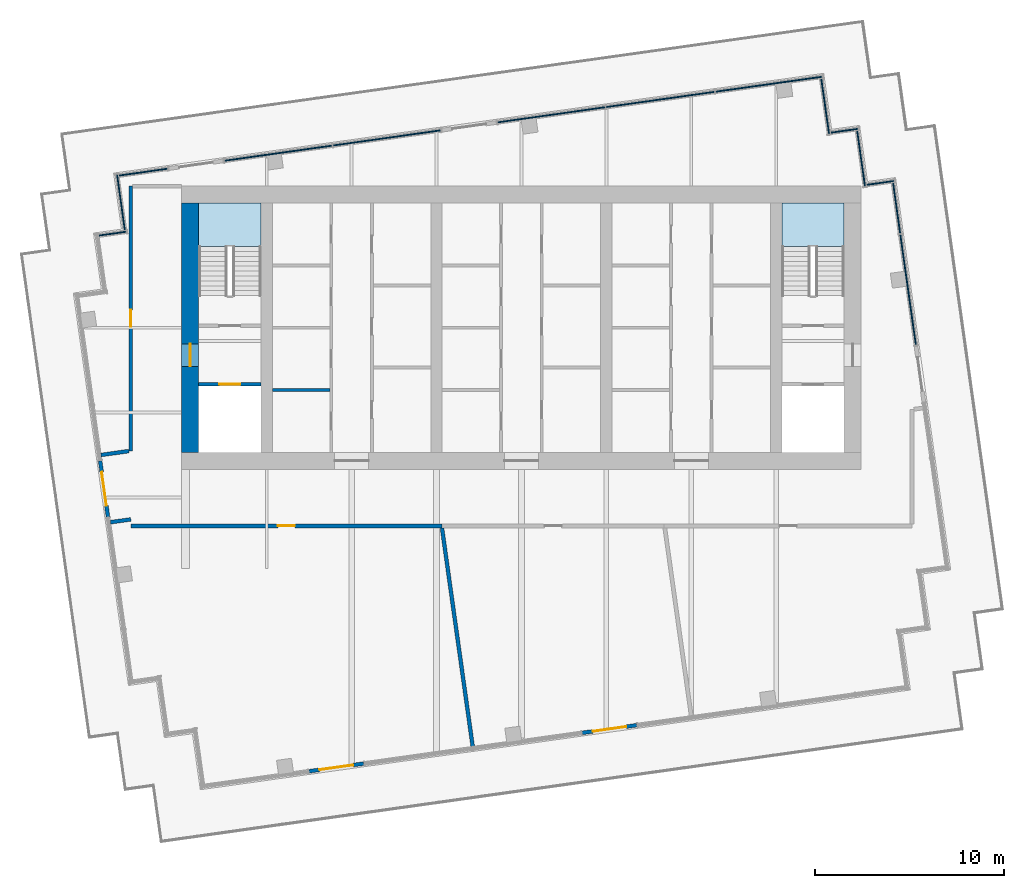
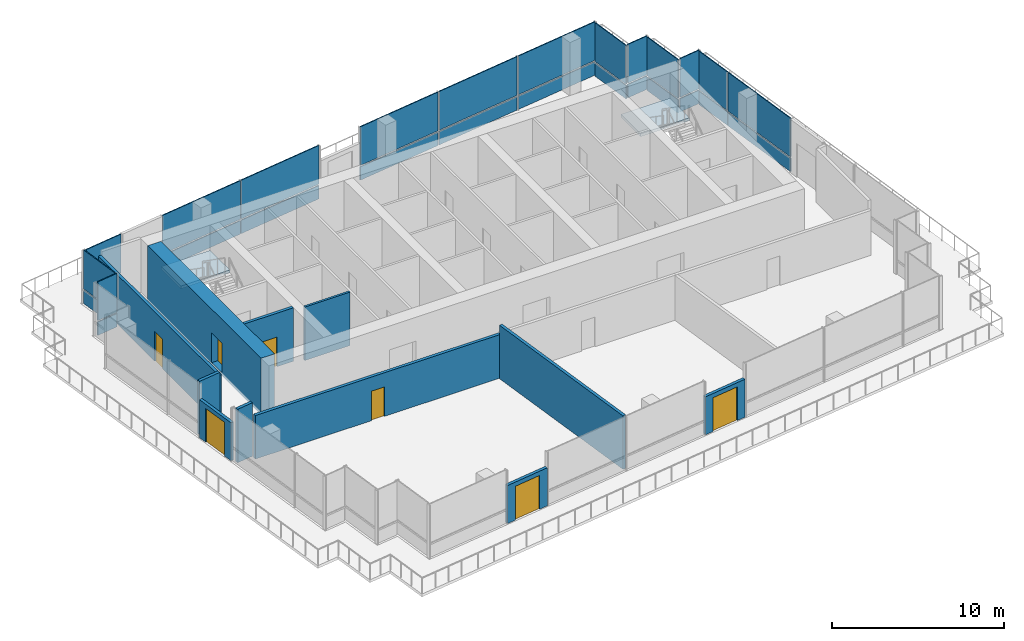
# One storey, part 6 of 12: 28 plates, 11 walls, 7 doors, 2 slabs, 7 openings, 12 elements without a shape of their own.
"""IFC4 building model written with IfcOpenShell, lengths in metres."""

from ifc_helpers import new_model, si_unit, direction, frame, frame_2d, origin, origin_2d, place, context, subcontext, project, spatial, polyline, rectangle, outline, extrude, material, layer, layer_set, type_object, element, fill, aggregate, save


model = new_model("IFC4")

# Units and contexts
model_context = context("Model", 3, precision=1e-05, world=origin(), true_north=direction((0.0, 1.0)))
body_context = subcontext(model_context, "Body", "Model", "MODEL_VIEW")
ifc_project = project(units=[si_unit("LENGTHUNIT", "METRE"), si_unit("AREAUNIT", "SQUARE_METRE"), si_unit("VOLUMEUNIT", "CUBIC_METRE"), si_unit("PLANEANGLEUNIT", "RADIAN"), si_unit("MASSUNIT", "GRAM", prefix="KILO")], contexts=[model_context])

# Site, building, storey
site_placement = place(None, origin())
site = spatial("IfcSite", under=ifc_project, at=site_placement, CompositionType="ELEMENT")
building_placement = place(site_placement, origin())
building = spatial("IfcBuilding", under=site, at=building_placement, Name="Rattan Terrace Tower", CompositionType="ELEMENT")
storey_placement = place(building_placement, frame((0.0, 0.0, 292.300048828125)))
storey = spatial("IfcBuildingStorey", under=building, at=storey_placement, Name="C01", CompositionType="ELEMENT", Elevation=292.300048828125)

# Stair, slab
ifc_material_1 = material(Name="Concrete C40/50", Category="concrete")
stair_type = type_object("IfcStairType", Name="Core exit stair 1500", PredefinedType="HALF_TURN_STAIR", material=ifc_material_1)
stair_1_placement = place(storey_placement, origin())
stair_1 = element("IfcStair", 1, at=stair_1_placement, inside=storey, type_object=stair_type, Name="C01 exit stair 1", PredefinedType="HALF_TURN_STAIR")
ifc_material_2 = material(Name="Concrete C40/50", Category="concrete")
ifc_layer_1 = layer(ifc_material_2, 0.199951171875)
ifc_layer_set_1 = layer_set([ifc_layer_1], Name="Core exit stair landing")
slab_type = type_object("IfcSlabType", Name="Core exit stair landing", PredefinedType="LANDING", material=ifc_layer_set_1)
slab_1_placement = place(storey_placement, frame((0.0, 0.0, 1.800048828125)))
slab_1 = element("IfcSlab", 2, at=slab_1_placement, type_object=slab_type, Name="S1 landing 1", PredefinedType="LANDING", context=body_context, shape_type="SweptSolid", body=[
    extrude(outline(polyline([(-13.800048828125, 4.300048828125), (-13.800048828125, 6.60009765625), (-17.10009765625, 6.60009765625), (-17.10009765625, 4.300048828125), (-13.800048828125, 4.300048828125)])), origin(), (0.0, 0.0, 1.0), 0.199951171875),
])
aggregate(stair_1, [slab_1])

stair_2_placement = place(storey_placement, origin())
stair_2 = element("IfcStair", 3, at=stair_2_placement, inside=storey, type_object=stair_type, Name="C01 exit stair 2", PredefinedType="HALF_TURN_STAIR")
slab_2_placement = place(storey_placement, frame((0.0, 0.0, 1.800048828125)))
slab_2 = element("IfcSlab", 4, at=slab_2_placement, type_object=slab_type, Name="S2 landing 1", PredefinedType="LANDING", context=body_context, shape_type="SweptSolid", body=[
    extrude(outline(polyline([(17.10009765625, 4.300048828125), (17.10009765625, 6.60009765625), (13.800048828125, 6.60009765625), (13.800048828125, 4.300048828125), (17.10009765625, 4.300048828125)])), origin(), (0.0, 0.0, 1.0), 0.199951171875),
])
aggregate(stair_2, [slab_2])

# Curtain wall, plates
ifc_material_3 = material(Name="Aluminium and laminated glass", Category="aluminium")
ifc_layer_2 = layer(ifc_material_3, 0.239990234375)
ifc_layer_set_2 = layer_set([ifc_layer_2], Name="Lantern Stick Curtain Wall")
curtain_wall_type = type_object("IfcCurtainWallType", Name="Lantern Stick Curtain Wall", PredefinedType="NOTDEFINED", material=ifc_layer_set_2)
curtain_wall_1_placement = place(storey_placement, origin())
curtain_wall_1 = element("IfcCurtainWall", 5, at=curtain_wall_1_placement, inside=storey, type_object=curtain_wall_type, Name="Lantern curtain wall C01-15", PredefinedType="NOTDEFINED")
ifc_material_4 = material(Name="Laminated low-iron glass", Category="glass")
ifc_layer_3 = layer(ifc_material_4, 0.06591796875)
ifc_layer_set_3 = layer_set([ifc_layer_3], Name="Lantern CW Laminated Panel")
plate_type = type_object("IfcPlateType", Name="Lantern CW Laminated Panel", PredefinedType="CURTAIN_PANEL", material=ifc_layer_set_3)
plate_1_placement = place(storey_placement, frame((20.488525390625, 2.0107421875, 0.0), z_axis=(0.0, 0.0, 1.0), x_axis=(-0.139187707455, 0.990266015823, 0.0)))
plate_1 = element("IfcPlate", 6, at=plate_1_placement, type_object=plate_type, Name="Panel cwl-C01-015.1.1", PredefinedType="CURTAIN_PANEL", context=body_context, shape_type="SweptSolid", body=[
    extrude(rectangle(XDim=5.89501953125, YDim=0.06591796875, at=origin_2d()), origin(), (0.0, 0.0, 1.0), 0.949951171875),
])
plate_2_placement = place(storey_placement, frame((20.488525390625, 2.0107421875, 1.050048828125), z_axis=(0.0, 0.0, 1.0), x_axis=(-0.139187707455, 0.990266015823, 0.0)))
plate_2 = element("IfcPlate", 7, at=plate_2_placement, type_object=plate_type, Name="Panel cwl-C01-015.1.2", PredefinedType="CURTAIN_PANEL", context=body_context, shape_type="SweptSolid", body=[
    extrude(rectangle(XDim=5.89501953125, YDim=0.06591796875, at=origin_2d()), origin(), (0.0, 0.0, 1.0), 2.75),
])
plate_3_placement = place(storey_placement, frame((19.88232421875, 6.323486328125, 0.0), z_axis=(0.0, 0.0, 1.0), x_axis=(-0.139187707455, 0.990266015823, 0.0)))
plate_3 = element("IfcPlate", 8, at=plate_3_placement, type_object=plate_type, Name="Panel cwl-C01-015.2.1", PredefinedType="CURTAIN_PANEL", context=body_context, shape_type="SweptSolid", body=[
    extrude(rectangle(XDim=2.67529296875, YDim=0.06591796875, at=origin_2d()), origin(), (0.0, 0.0, 1.0), 0.949951171875),
])
plate_4_placement = place(storey_placement, frame((19.88232421875, 6.323486328125, 1.050048828125), z_axis=(0.0, 0.0, 1.0), x_axis=(-0.139187707455, 0.990266015823, 0.0)))
plate_4 = element("IfcPlate", 9, at=plate_4_placement, type_object=plate_type, Name="Panel cwl-C01-015.2.2", PredefinedType="CURTAIN_PANEL", context=body_context, shape_type="SweptSolid", body=[
    extrude(rectangle(XDim=2.67529296875, YDim=0.06591796875, at=origin_2d()), origin(), (0.0, 0.0, 1.0), 2.75),
])
aggregate(curtain_wall_1, [plate_1, plate_2, plate_3, plate_4])

curtain_wall_2_placement = place(storey_placement, origin())
curtain_wall_2 = element("IfcCurtainWall", 10, at=curtain_wall_2_placement, inside=storey, type_object=curtain_wall_type, Name="Lantern curtain wall C01-16", PredefinedType="NOTDEFINED")
plate_5_placement = place(storey_placement, frame((19.021484375, 7.67431640625, 0.0), z_axis=(0.0, 0.0, 1.0), x_axis=(-0.990227803001, -0.139459306479, 0.0)))
plate_5 = element("IfcPlate", 11, at=plate_5_placement, type_object=plate_type, Name="Panel cwl-C01-016.1.1", PredefinedType="CURTAIN_PANEL", context=body_context, shape_type="SweptSolid", body=[
    extrude(rectangle(XDim=1.428466796875, YDim=0.06591796875, at=origin_2d()), origin(), (0.0, 0.0, 1.0), 0.949951171875),
])
plate_6_placement = place(storey_placement, frame((19.021484375, 7.67431640625, 1.050048828125), z_axis=(0.0, 0.0, 1.0), x_axis=(-0.990227803001, -0.139459306479, 0.0)))
plate_6 = element("IfcPlate", 12, at=plate_6_placement, type_object=plate_type, Name="Panel cwl-C01-016.1.2", PredefinedType="CURTAIN_PANEL", context=body_context, shape_type="SweptSolid", body=[
    extrude(rectangle(XDim=1.428466796875, YDim=0.06591796875, at=origin_2d()), origin(), (0.0, 0.0, 1.0), 2.75),
])
aggregate(curtain_wall_2, [plate_5, plate_6])

curtain_wall_3_placement = place(storey_placement, origin())
curtain_wall_3 = element("IfcCurtainWall", 13, at=curtain_wall_3_placement, inside=storey, type_object=curtain_wall_type, Name="Lantern curtain wall C01-17", PredefinedType="NOTDEFINED")
plate_7_placement = place(storey_placement, frame((17.997802734375, 8.96044921875, 0.0), z_axis=(0.0, 0.0, 1.0), x_axis=(-0.139555918709, 0.990214191755, 0.0)))
plate_7 = element("IfcPlate", 14, at=plate_7_placement, type_object=plate_type, Name="Panel cwl-C01-017.1.1", PredefinedType="CURTAIN_PANEL", context=body_context, shape_type="SweptSolid", body=[
    extrude(rectangle(XDim=2.932373046875, YDim=0.06591796875, at=origin_2d()), origin(), (0.0, 0.0, 1.0), 0.949951171875),
])
plate_8_placement = place(storey_placement, frame((17.997802734375, 8.96044921875, 1.050048828125), z_axis=(0.0, 0.0, 1.0), x_axis=(-0.139555918709, 0.990214191755, 0.0)))
plate_8 = element("IfcPlate", 15, at=plate_8_placement, type_object=plate_type, Name="Panel cwl-C01-017.1.2", PredefinedType="CURTAIN_PANEL", context=body_context, shape_type="SweptSolid", body=[
    extrude(rectangle(XDim=2.932373046875, YDim=0.06591796875, at=origin_2d()), origin(), (0.0, 0.0, 1.0), 2.75),
])
aggregate(curtain_wall_3, [plate_7, plate_8])

curtain_wall_4_placement = place(storey_placement, origin())
curtain_wall_4 = element("IfcCurtainWall", 16, at=curtain_wall_4_placement, inside=storey, type_object=curtain_wall_type, Name="Lantern curtain wall C01-18", PredefinedType="NOTDEFINED")
plate_9_placement = place(storey_placement, frame((17.11865234375, 10.43896484375, 0.0), z_axis=(0.0, 0.0, 1.0), x_axis=(-0.990319742912, -0.13880492354, 0.0)))
plate_9 = element("IfcPlate", 17, at=plate_9_placement, type_object=plate_type, Name="Panel cwl-C01-018.1.1", PredefinedType="CURTAIN_PANEL", context=body_context, shape_type="SweptSolid", body=[
    extrude(rectangle(XDim=1.428466796875, YDim=0.06591796875, at=origin_2d()), origin(), (0.0, 0.0, 1.0), 0.949951171875),
])
plate_10_placement = place(storey_placement, frame((17.11865234375, 10.43896484375, 1.050048828125), z_axis=(0.0, 0.0, 1.0), x_axis=(-0.990319742912, -0.13880492354, 0.0)))
plate_10 = element("IfcPlate", 18, at=plate_10_placement, type_object=plate_type, Name="Panel cwl-C01-018.1.2", PredefinedType="CURTAIN_PANEL", context=body_context, shape_type="SweptSolid", body=[
    extrude(rectangle(XDim=1.428466796875, YDim=0.06591796875, at=origin_2d()), origin(), (0.0, 0.0, 1.0), 2.75),
])
aggregate(curtain_wall_4, [plate_9, plate_10])

curtain_wall_5_placement = place(storey_placement, origin())
curtain_wall_5 = element("IfcCurtainWall", 19, at=curtain_wall_5_placement, inside=storey, type_object=curtain_wall_type, Name="Lantern curtain wall C01-19", PredefinedType="NOTDEFINED")
plate_11_placement = place(storey_placement, frame((16.09521484375, 11.723388671875, 0.0), z_axis=(0.0, 0.0, 1.0), x_axis=(-0.139413247769, 0.990234288614, 0.0)))
plate_11 = element("IfcPlate", 20, at=plate_11_placement, type_object=plate_type, Name="Panel cwl-C01-019.1.1", PredefinedType="CURTAIN_PANEL", context=body_context, shape_type="SweptSolid", body=[
    extrude(rectangle(XDim=2.92822265625, YDim=0.06591796875, at=origin_2d()), origin(), (0.0, 0.0, 1.0), 0.949951171875),
])
plate_12_placement = place(storey_placement, frame((16.09521484375, 11.723388671875, 1.050048828125), z_axis=(0.0, 0.0, 1.0), x_axis=(-0.139413247769, 0.990234288614, 0.0)))
plate_12 = element("IfcPlate", 21, at=plate_12_placement, type_object=plate_type, Name="Panel cwl-C01-019.1.2", PredefinedType="CURTAIN_PANEL", context=body_context, shape_type="SweptSolid", body=[
    extrude(rectangle(XDim=2.92822265625, YDim=0.06591796875, at=origin_2d()), origin(), (0.0, 0.0, 1.0), 2.75),
])
aggregate(curtain_wall_5, [plate_11, plate_12])

curtain_wall_6_placement = place(storey_placement, origin())
curtain_wall_6 = element("IfcCurtainWall", 22, at=curtain_wall_6_placement, inside=storey, type_object=curtain_wall_type, Name="Lantern curtain wall C01-20", PredefinedType="NOTDEFINED")
plate_13_placement = place(storey_placement, frame((13.10595703125, 12.90283203125, 0.0), z_axis=(0.0, 0.0, 1.0), x_axis=(-0.990266952226, -0.13918104515, 0.0)))
plate_13 = element("IfcPlate", 23, at=plate_13_placement, type_object=plate_type, Name="Panel cwl-C01-020.1.1", PredefinedType="CURTAIN_PANEL", context=body_context, shape_type="SweptSolid", body=[
    extrude(rectangle(XDim=5.69091796875, YDim=0.06591796875, at=origin_2d()), origin(), (0.0, 0.0, 1.0), 0.949951171875),
])
plate_14_placement = place(storey_placement, frame((13.10595703125, 12.90283203125, 1.050048828125), z_axis=(0.0, 0.0, 1.0), x_axis=(-0.990266952226, -0.13918104515, 0.0)))
plate_14 = element("IfcPlate", 24, at=plate_14_placement, type_object=plate_type, Name="Panel cwl-C01-020.1.2", PredefinedType="CURTAIN_PANEL", context=body_context, shape_type="SweptSolid", body=[
    extrude(rectangle(XDim=5.69091796875, YDim=0.06591796875, at=origin_2d()), origin(), (0.0, 0.0, 1.0), 2.75),
])
plate_15_placement = place(storey_placement, frame((7.359130859375, 12.09521484375, 0.0), z_axis=(0.0, 0.0, 1.0), x_axis=(-0.990266952226, -0.13918104515, 0.0)))
plate_15 = element("IfcPlate", 25, at=plate_15_placement, type_object=plate_type, Name="Panel cwl-C01-020.2.1", PredefinedType="CURTAIN_PANEL", context=body_context, shape_type="SweptSolid", body=[
    extrude(rectangle(XDim=5.77587890625, YDim=0.06591796875, at=origin_2d()), origin(), (0.0, 0.0, 1.0), 0.949951171875),
])
plate_16_placement = place(storey_placement, frame((7.359130859375, 12.09521484375, 1.050048828125), z_axis=(0.0, 0.0, 1.0), x_axis=(-0.990266952226, -0.13918104515, 0.0)))
plate_16 = element("IfcPlate", 26, at=plate_16_placement, type_object=plate_type, Name="Panel cwl-C01-020.2.2", PredefinedType="CURTAIN_PANEL", context=body_context, shape_type="SweptSolid", body=[
    extrude(rectangle(XDim=5.77587890625, YDim=0.06591796875, at=origin_2d()), origin(), (0.0, 0.0, 1.0), 2.75),
])
plate_17_placement = place(storey_placement, frame((1.587158203125, 11.283935546875, 0.0), z_axis=(0.0, 0.0, 1.0), x_axis=(-0.990266952226, -0.13918104515, 0.0)))
plate_17 = element("IfcPlate", 27, at=plate_17_placement, type_object=plate_type, Name="Panel cwl-C01-020.3.1", PredefinedType="CURTAIN_PANEL", context=body_context, shape_type="SweptSolid", body=[
    extrude(rectangle(XDim=5.740966796875, YDim=0.06591796875, at=origin_2d()), origin(), (0.0, 0.0, 1.0), 0.949951171875),
])
plate_18_placement = place(storey_placement, frame((1.587158203125, 11.283935546875, 1.050048828125), z_axis=(0.0, 0.0, 1.0), x_axis=(-0.990266952226, -0.13918104515, 0.0)))
plate_18 = element("IfcPlate", 28, at=plate_18_placement, type_object=plate_type, Name="Panel cwl-C01-020.3.2", PredefinedType="CURTAIN_PANEL", context=body_context, shape_type="SweptSolid", body=[
    extrude(rectangle(XDim=5.740966796875, YDim=0.06591796875, at=origin_2d()), origin(), (0.0, 0.0, 1.0), 2.75),
])
aggregate(curtain_wall_6, [plate_13, plate_14, plate_15, plate_16, plate_17, plate_18])

curtain_wall_7_placement = place(storey_placement, origin())
curtain_wall_7 = element("IfcCurtainWall", 29, at=curtain_wall_7_placement, inside=storey, type_object=curtain_wall_type, Name="Lantern curtain wall C01-21", PredefinedType="NOTDEFINED")
plate_19_placement = place(storey_placement, frame((-7.131103515625, 10.05859375, 0.0), z_axis=(0.0, 0.0, 1.0), x_axis=(-0.990266952226, -0.13918104515, 0.0)))
plate_19 = element("IfcPlate", 30, at=plate_19_placement, type_object=plate_type, Name="Panel cwl-C01-021.1.1", PredefinedType="CURTAIN_PANEL", context=body_context, shape_type="SweptSolid", body=[
    extrude(rectangle(XDim=5.740966796875, YDim=0.06591796875, at=origin_2d()), origin(), (0.0, 0.0, 1.0), 0.949951171875),
])
plate_20_placement = place(storey_placement, frame((-7.131103515625, 10.05859375, 1.050048828125), z_axis=(0.0, 0.0, 1.0), x_axis=(-0.990266952226, -0.13918104515, 0.0)))
plate_20 = element("IfcPlate", 31, at=plate_20_placement, type_object=plate_type, Name="Panel cwl-C01-021.1.2", PredefinedType="CURTAIN_PANEL", context=body_context, shape_type="SweptSolid", body=[
    extrude(rectangle(XDim=5.740966796875, YDim=0.06591796875, at=origin_2d()), origin(), (0.0, 0.0, 1.0), 2.75),
])
plate_21_placement = place(storey_placement, frame((-12.885498046875, 9.249755859375, 0.0), z_axis=(0.0, 0.0, 1.0), x_axis=(-0.990266952226, -0.13918104515, 0.0)))
plate_21 = element("IfcPlate", 32, at=plate_21_placement, type_object=plate_type, Name="Panel cwl-C01-021.2.1", PredefinedType="CURTAIN_PANEL", context=body_context, shape_type="SweptSolid", body=[
    extrude(rectangle(XDim=5.740966796875, YDim=0.06591796875, at=origin_2d()), origin(), (0.0, 0.0, 1.0), 0.949951171875),
])
plate_22_placement = place(storey_placement, frame((-12.885498046875, 9.249755859375, 1.050048828125), z_axis=(0.0, 0.0, 1.0), x_axis=(-0.990266952226, -0.13918104515, 0.0)))
plate_22 = element("IfcPlate", 33, at=plate_22_placement, type_object=plate_type, Name="Panel cwl-C01-021.2.2", PredefinedType="CURTAIN_PANEL", context=body_context, shape_type="SweptSolid", body=[
    extrude(rectangle(XDim=5.740966796875, YDim=0.06591796875, at=origin_2d()), origin(), (0.0, 0.0, 1.0), 2.75),
])
aggregate(curtain_wall_7, [plate_19, plate_20, plate_21, plate_22])

curtain_wall_8_placement = place(storey_placement, origin())
curtain_wall_8 = element("IfcCurtainWall", 34, at=curtain_wall_8_placement, inside=storey, type_object=curtain_wall_type, Name="Lantern curtain wall C01-22", PredefinedType="NOTDEFINED")
plate_23_placement = place(storey_placement, frame((-20.03125, 8.24560546875, 0.0), z_axis=(0.0, 0.0, 1.0), x_axis=(-0.990266952226, -0.13918104515, 0.0)))
plate_23 = element("IfcPlate", 35, at=plate_23_placement, type_object=plate_type, Name="Panel cwl-C01-022.1.1", PredefinedType="CURTAIN_PANEL", context=body_context, shape_type="SweptSolid", body=[
    extrude(rectangle(XDim=2.56494140625, YDim=0.06591796875, at=origin_2d()), origin(), (0.0, 0.0, 1.0), 0.949951171875),
])
plate_24_placement = place(storey_placement, frame((-20.03125, 8.24560546875, 1.050048828125), z_axis=(0.0, 0.0, 1.0), x_axis=(-0.990266952226, -0.13918104515, 0.0)))
plate_24 = element("IfcPlate", 36, at=plate_24_placement, type_object=plate_type, Name="Panel cwl-C01-022.1.2", PredefinedType="CURTAIN_PANEL", context=body_context, shape_type="SweptSolid", body=[
    extrude(rectangle(XDim=2.56494140625, YDim=0.06591796875, at=origin_2d()), origin(), (0.0, 0.0, 1.0), 2.75),
])
aggregate(curtain_wall_8, [plate_23, plate_24])

curtain_wall_9_placement = place(storey_placement, origin())
curtain_wall_9 = element("IfcCurtainWall", 37, at=curtain_wall_9_placement, inside=storey, type_object=curtain_wall_type, Name="Lantern curtain wall C01-23", PredefinedType="NOTDEFINED")
plate_25_placement = place(storey_placement, frame((-21.223388671875, 6.6494140625, 0.0), z_axis=(0.0, 0.0, 1.0), x_axis=(0.139040257975, -0.990286729519, 0.0)))
plate_25 = element("IfcPlate", 38, at=plate_25_placement, type_object=plate_type, Name="Panel cwl-C01-023.1.1", PredefinedType="CURTAIN_PANEL", context=body_context, shape_type="SweptSolid", body=[
    extrude(rectangle(XDim=2.92919921875, YDim=0.06591796875, at=origin_2d()), origin(), (0.0, 0.0, 1.0), 0.949951171875),
])
plate_26_placement = place(storey_placement, frame((-21.223388671875, 6.6494140625, 1.050048828125), z_axis=(0.0, 0.0, 1.0), x_axis=(0.139040257975, -0.990286729519, 0.0)))
plate_26 = element("IfcPlate", 39, at=plate_26_placement, type_object=plate_type, Name="Panel cwl-C01-023.1.2", PredefinedType="CURTAIN_PANEL", context=body_context, shape_type="SweptSolid", body=[
    extrude(rectangle(XDim=2.92919921875, YDim=0.06591796875, at=origin_2d()), origin(), (0.0, 0.0, 1.0), 2.75),
])
aggregate(curtain_wall_9, [plate_25, plate_26])

curtain_wall_10_placement = place(storey_placement, origin())
curtain_wall_10 = element("IfcCurtainWall", 40, at=curtain_wall_10_placement, inside=storey, type_object=curtain_wall_type, Name="Lantern curtain wall C01-24", PredefinedType="NOTDEFINED")
plate_27_placement = place(storey_placement, frame((-21.660888671875, 4.98779296875, 0.0), z_axis=(0.0, 0.0, 1.0), x_axis=(-0.990227803001, -0.139459306479, 0.0)))
plate_27 = element("IfcPlate", 41, at=plate_27_placement, type_object=plate_type, Name="Panel cwl-C01-024.1.1", PredefinedType="CURTAIN_PANEL", context=body_context, shape_type="SweptSolid", body=[
    extrude(rectangle(XDim=1.4287109375, YDim=0.06591796875, at=origin_2d()), origin(), (0.0, 0.0, 1.0), 0.949951171875),
])
plate_28_placement = place(storey_placement, frame((-21.660888671875, 4.98779296875, 1.050048828125), z_axis=(0.0, 0.0, 1.0), x_axis=(-0.990227803001, -0.139459306479, 0.0)))
plate_28 = element("IfcPlate", 42, at=plate_28_placement, type_object=plate_type, Name="Panel cwl-C01-024.1.2", PredefinedType="CURTAIN_PANEL", context=body_context, shape_type="SweptSolid", body=[
    extrude(rectangle(XDim=1.4287109375, YDim=0.06591796875, at=origin_2d()), origin(), (0.0, 0.0, 1.0), 2.75),
])
aggregate(curtain_wall_10, [plate_27, plate_28])

# Wall
ifc_material_5 = material(Name="Gypsum board partition")
ifc_layer_4 = layer(ifc_material_5, 0.14990234375)
ifc_layer_set_4 = layer_set([ifc_layer_4], Name="Core partition 150")
wall_type_1 = type_object("IfcWallType", Name="Core partition 150", PredefinedType="PARTITIONING", material=ifc_layer_set_4)
wall_1_placement = place(storey_placement, frame((-13.199951171875, -3.300048828125, 0.0), z_axis=(0.0, 0.0, 1.0), x_axis=(1.0, 0.0, 0.0)))
element("IfcWall", 43, at=wall_1_placement, inside=storey, type_object=wall_type_1, Name="Core room wall", PredefinedType="PARTITIONING", context=body_context, shape_type="SweptSolid", body=[
    extrude(rectangle(XDim=3.050048828125, YDim=0.14990234375, at=frame_2d((1.52490234375, 0.0))), origin(), (0.0, 0.0, 1.0), 3.800048828125),
])

# Wall, opening, door
ifc_material_6 = material(Name="Gypsum board partition")
ifc_layer_5 = layer(ifc_material_6, 0.199951171875)
ifc_layer_set_5 = layer_set([ifc_layer_5], Name="Core partition 200")
wall_type_2 = type_object("IfcWallType", Name="Core partition 200", PredefinedType="PARTITIONING", material=ifc_layer_set_5)
wall_2_placement = place(storey_placement, frame((-17.10009765625, -3.0, 0.0), z_axis=(0.0, 0.0, 1.0), x_axis=(1.0, 0.0, 0.0)))
wall_2 = element("IfcWall", 44, at=wall_2_placement, inside=storey, type_object=wall_type_2, Name="Fire-fighting lobby wall", PredefinedType="PARTITIONING", context=body_context, shape_type="SweptSolid", body=[
    extrude(rectangle(XDim=3.300048828125, YDim=0.199951171875, at=frame_2d((1.64990234375, 0.0))), origin(), (0.0, 0.0, 1.0), 3.800048828125),
])
opening_1_placement = place(wall_2_placement, frame((1.10009765625, 0.0, 0.0)))
opening_1 = element("IfcOpeningElement", 45, at=opening_1_placement, cuts=wall_2, Name="Opening C01-LD-FF1", PredefinedType="OPENING", context=body_context, shape_type="SweptSolid", body=[
    extrude(rectangle(XDim=1.10009765625, YDim=2.10009765625, at=frame_2d((0.550048828125, 1.050048828125))), frame((0.0, 0.110595703125, 0.0), z_axis=(0.0, -1.0, 0.0), x_axis=(1.0, 0.0, 0.0)), (0.0, 0.0, 1.0), 0.220947265625),
])
ifc_material_7 = material(Name="Brushed stainless landing door panel")
door_type_1 = type_object("IfcDoorType", Name="Core lift landing door 1100", OperationType="DOUBLE_DOOR_SLIDING", PredefinedType="DOOR", material=ifc_material_7)
door_1_placement = place(opening_1_placement, origin())
door_1 = element("IfcDoor", 46, at=door_1_placement, inside=storey, type_object=door_type_1, Name="Door C01-LD-FF1", OperationType="DOUBLE_DOOR_SLIDING", OverallHeight=2.10009765625, OverallWidth=1.10009765625, PredefinedType="DOOR", context=body_context, shape_type="SweptSolid", body=[
    extrude(rectangle(XDim=1.10009765625, YDim=2.10009765625, at=frame_2d((0.550048828125, 1.050048828125))), frame((0.0, 0.02490234375, 0.0), z_axis=(0.0, -1.0, 0.0), x_axis=(1.0, 0.0, 0.0)), (0.0, 0.0, 1.0), 0.050048828125),
])
fill(opening_1, door_1)

ifc_material_8 = material(Name="Concrete C50/60", Category="concrete")
ifc_layer_6 = layer(ifc_material_8, 0.89990234375)
ifc_layer_set_6 = layer_set([ifc_layer_6], Name="Core ring wall 900 C50/60")
wall_type_3 = type_object("IfcWallType", Name="Core ring wall 900 C50/60", PredefinedType="SHEAR", material=ifc_layer_set_6)
wall_3_placement = place(storey_placement, frame((-17.550048828125, -6.60009765625, -0.199951171875), z_axis=(0.0, 0.0, 1.0), x_axis=(0.0, 1.0, 0.0)))
wall_3 = element("IfcWall", 47, at=wall_3_placement, inside=storey, type_object=wall_type_3, Name="Rear core wall west", PredefinedType="SHEAR", context=body_context, shape_type="SweptSolid", body=[
    extrude(rectangle(XDim=13.2001953125, YDim=0.89990234375, at=frame_2d((6.60009765625, 0.0))), origin(), (0.0, 0.0, 1.0), 4.0),
])
opening_2_placement = place(wall_3_placement, frame((4.550048828125, 0.0, 0.199951171875)))
opening_2 = element("IfcOpeningElement", 48, at=opening_2_placement, cuts=wall_3, Name="Opening C01-D001", PredefinedType="OPENING", context=body_context, shape_type="SweptSolid", body=[
    extrude(rectangle(XDim=1.199951171875, YDim=2.10009765625, at=frame_2d((0.60009765625, 1.050048828125))), frame((0.0, 0.46044921875, 0.0), z_axis=(0.0, -1.0, 0.0), x_axis=(1.0, 0.0, 0.0)), (0.0, 0.0, 1.0), 0.9208984375),
])
ifc_material_9 = material(Name="Hollow-metal fire door leaf")
door_type_2 = type_object("IfcDoorType", Name="Core fire-fighting lobby door 1200", OperationType="NOTDEFINED", PredefinedType="DOOR", material=ifc_material_9)
door_2_placement = place(opening_2_placement, origin())
door_2 = element("IfcDoor", 49, at=door_2_placement, inside=storey, type_object=door_type_2, Name="Door C01-D001", OperationType="SINGLE_SWING_LEFT", OverallHeight=2.10009765625, OverallWidth=1.199951171875, PredefinedType="DOOR", context=body_context, shape_type="SweptSolid", body=[
    extrude(rectangle(XDim=1.199951171875, YDim=2.10009765625, at=frame_2d((0.60009765625, 1.050048828125))), frame((0.0, 0.02490234375, 0.0), z_axis=(0.0, -1.0, 0.0), x_axis=(1.0, 0.0, 0.0)), (0.0, 0.0, 1.0), 0.050048828125),
])
fill(opening_2, door_2)

ifc_material_10 = material(Name="Insulated aluminium-clad stud wall", Category="aluminium")
ifc_layer_7 = layer(ifc_material_10, 0.199951171875)
ifc_layer_set_7 = layer_set([ifc_layer_7], Name="Facade Door Wall 200")
wall_type_4 = type_object("IfcWallType", Name="Facade Door Wall 200", PredefinedType="SOLIDWALL", material=ifc_layer_set_7)
wall_4_placement = place(storey_placement, frame((-22.325927734375, -7.0517578125, 0.0), z_axis=(0.0, 0.0, 1.0), x_axis=(0.139165050317, -0.990269200152, 0.0)))
wall_4 = element("IfcWall", 50, at=wall_4_placement, inside=storey, type_object=wall_type_4, Name="Terrace door wall C01-1", PredefinedType="SOLIDWALL", context=body_context, shape_type="SweptSolid", body=[
    extrude(rectangle(XDim=3.0, YDim=0.199951171875, at=frame_2d((1.5, 0.0))), origin(), (0.0, 0.0, 1.0), 2.699951171875),
])
opening_3_placement = place(wall_4_placement, frame((0.60009765625, 0.0, 0.0)))
opening_3 = element("IfcOpeningElement", 51, at=opening_3_placement, cuts=wall_4, Name="Opening C01-D701", PredefinedType="OPENING", context=body_context, shape_type="SweptSolid", body=[
    extrude(rectangle(XDim=1.800048828125, YDim=2.39990234375, at=frame_2d((0.89990234375, 1.199951171875))), frame((0.0, 0.110595703125, 0.0), z_axis=(0.0, -1.0, 0.0), x_axis=(1.0, 0.0, 0.0)), (0.0, 0.0, 1.0), 0.220947265625),
])
ifc_material_11 = material(Name="Aluminium and clear glass", Category="aluminium")
door_type_3 = type_object("IfcDoorType", Name="Facade Terrace Door 1800", OperationType="DOUBLE_DOOR_SINGLE_SWING", PredefinedType="DOOR", material=ifc_material_11)
door_3_placement = place(opening_3_placement, origin())
door_3 = element("IfcDoor", 52, at=door_3_placement, inside=storey, type_object=door_type_3, Name="Terrace door C01-D701", OperationType="DOUBLE_DOOR_SINGLE_SWING", OverallHeight=2.39990234375, OverallWidth=1.800048828125, PredefinedType="DOOR", context=body_context, shape_type="SweptSolid", body=[
    extrude(rectangle(XDim=1.800048828125, YDim=2.39990234375, at=frame_2d((0.89990234375, 1.199951171875))), frame((0.0, 0.02490234375, 0.0), z_axis=(0.0, -1.0, 0.0), x_axis=(1.0, 0.0, 0.0)), (0.0, 0.0, 1.0), 0.050048828125),
])
fill(opening_3, door_3)

wall_5_placement = place(storey_placement, frame((-11.253662109375, -23.501953125, 0.0), z_axis=(0.0, 0.0, 1.0), x_axis=(0.990270970939, 0.139152449189, 0.0)))
wall_5 = element("IfcWall", 53, at=wall_5_placement, inside=storey, type_object=wall_type_4, Name="Terrace door wall C01-2", PredefinedType="SOLIDWALL", context=body_context, shape_type="SweptSolid", body=[
    extrude(rectangle(XDim=2.9228515625, YDim=0.199951171875, at=frame_2d((1.46142578125, 0.0))), origin(), (0.0, 0.0, 1.0), 2.699951171875),
])
opening_4_placement = place(wall_5_placement, frame((0.5615234375, 0.0, 0.0)))
opening_4 = element("IfcOpeningElement", 54, at=opening_4_placement, cuts=wall_5, Name="Opening C01-D702", PredefinedType="OPENING", context=body_context, shape_type="SweptSolid", body=[
    extrude(rectangle(XDim=1.800048828125, YDim=2.39990234375, at=frame_2d((0.89990234375, 1.199951171875))), frame((0.0, 0.110595703125, 0.0), z_axis=(0.0, -1.0, 0.0), x_axis=(1.0, 0.0, 0.0)), (0.0, 0.0, 1.0), 0.220947265625),
])
door_4_placement = place(opening_4_placement, origin())
door_4 = element("IfcDoor", 55, at=door_4_placement, inside=storey, type_object=door_type_3, Name="Terrace door C01-D702", OperationType="DOUBLE_DOOR_SINGLE_SWING", OverallHeight=2.39990234375, OverallWidth=1.800048828125, PredefinedType="DOOR", context=body_context, shape_type="SweptSolid", body=[
    extrude(rectangle(XDim=1.800048828125, YDim=2.39990234375, at=frame_2d((0.89990234375, 1.199951171875))), frame((0.0, 0.02490234375, 0.0), z_axis=(0.0, -1.0, 0.0), x_axis=(1.0, 0.0, 0.0)), (0.0, 0.0, 1.0), 0.050048828125),
])
fill(opening_4, door_4)

wall_6_placement = place(storey_placement, frame((3.21923828125, -21.4677734375, 0.0), z_axis=(0.0, 0.0, 1.0), x_axis=(0.990270970939, 0.139152449189, 0.0)))
wall_6 = element("IfcWall", 56, at=wall_6_placement, inside=storey, type_object=wall_type_4, Name="Terrace door wall C01-3", PredefinedType="SOLIDWALL", context=body_context, shape_type="SweptSolid", body=[
    extrude(rectangle(XDim=2.9228515625, YDim=0.199951171875, at=frame_2d((1.46142578125, 0.0))), origin(), (0.0, 0.0, 1.0), 2.699951171875),
])
opening_5_placement = place(wall_6_placement, frame((0.5615234375, 0.0, 0.0)))
opening_5 = element("IfcOpeningElement", 57, at=opening_5_placement, cuts=wall_6, Name="Opening C01-D703", PredefinedType="OPENING", context=body_context, shape_type="SweptSolid", body=[
    extrude(rectangle(XDim=1.800048828125, YDim=2.39990234375, at=frame_2d((0.89990234375, 1.199951171875))), frame((0.0, 0.110595703125, 0.0), z_axis=(0.0, -1.0, 0.0), x_axis=(1.0, 0.0, 0.0)), (0.0, 0.0, 1.0), 0.220947265625),
])
door_5_placement = place(opening_5_placement, origin())
door_5 = element("IfcDoor", 58, at=door_5_placement, inside=storey, type_object=door_type_3, Name="Terrace door C01-D703", OperationType="DOUBLE_DOOR_SINGLE_SWING", OverallHeight=2.39990234375, OverallWidth=1.800048828125, PredefinedType="DOOR", context=body_context, shape_type="SweptSolid", body=[
    extrude(rectangle(XDim=1.800048828125, YDim=2.39990234375, at=frame_2d((0.89990234375, 1.199951171875))), frame((0.0, 0.02490234375, 0.0), z_axis=(0.0, -1.0, 0.0), x_axis=(1.0, 0.0, 0.0)), (0.0, 0.0, 1.0), 0.050048828125),
])
fill(opening_5, door_5)

# Wall
ifc_material_12 = material(Name="Concrete block wall, plastered", Category="concrete")
ifc_layer_8 = layer(ifc_material_12, 0.199951171875)
ifc_layer_set_8 = layer_set([ifc_layer_8], Name="Floors Plant Wall 200")
wall_type_5 = type_object("IfcWallType", Name="Floors Plant Wall 200", PredefinedType="PARTITIONING", material=ifc_layer_set_8)
wall_7_placement = place(storey_placement, frame((-20.699951171875, -10.156005859375, 0.0), z_axis=(0.0, 0.0, 1.0), x_axis=(-0.99034913568, -0.138595055673, 0.0)))
element("IfcWall", 59, at=wall_7_placement, inside=storey, type_object=wall_type_5, Name="pt-C01-001", PredefinedType="PARTITIONING", context=body_context, shape_type="SweptSolid", body=[
    extrude(rectangle(XDim=1.088623046875, YDim=0.199951171875, at=frame_2d((0.54443359375, 0.0))), origin(), (0.0, 0.0, 1.0), 3.800048828125),
])

# Wall, opening, door
wall_8_placement = place(storey_placement, frame((-4.205078125, -10.5, 0.0), z_axis=(0.0, 0.0, 1.0), x_axis=(-1.0, 0.0, 0.0)))
wall_8 = element("IfcWall", 60, at=wall_8_placement, inside=storey, type_object=wall_type_5, Name="pt-C01-002", PredefinedType="PARTITIONING", context=body_context, shape_type="SweptSolid", body=[
    extrude(rectangle(XDim=16.494873046875, YDim=0.199951171875, at=frame_2d((8.24755859375, 0.0))), origin(), (0.0, 0.0, 1.0), 3.099853515625),
])
opening_6_placement = place(wall_8_placement, frame((7.797119140625, 0.0, 0.0)))
opening_6 = element("IfcOpeningElement", 61, at=opening_6_placement, cuts=wall_8, Name="Opening C01-D100", PredefinedType="OPENING", context=body_context, shape_type="SweptSolid", body=[
    extrude(rectangle(XDim=0.89990234375, YDim=2.10009765625, at=frame_2d((0.449951171875, 1.050048828125))), frame((0.0, 0.110595703125, 0.0), z_axis=(0.0, -1.0, 0.0), x_axis=(1.0, 0.0, 0.0)), (0.0, 0.0, 1.0), 0.220947265625),
])
ifc_material_13 = material(Name="Steel fire door set", Category="steel")
door_type_4 = type_object("IfcDoorType", Name="Floors Fire Door FD60 900x2100", OperationType="NOTDEFINED", PredefinedType="DOOR", material=ifc_material_13)
door_6_placement = place(opening_6_placement, origin())
door_6 = element("IfcDoor", 62, at=door_6_placement, inside=storey, type_object=door_type_4, Name="d-C01-100", OperationType="SINGLE_SWING_LEFT", OverallHeight=2.10009765625, OverallWidth=0.89990234375, PredefinedType="DOOR", context=body_context, shape_type="SweptSolid", body=[
    extrude(rectangle(XDim=0.89990234375, YDim=2.10009765625, at=frame_2d((0.449951171875, 1.050048828125))), frame((0.0, 0.02490234375, 0.0), z_axis=(0.0, -1.0, 0.0), x_axis=(1.0, 0.0, 0.0)), (0.0, 0.0, 1.0), 0.050048828125),
])
fill(opening_6, door_6)

# Wall
wall_9_placement = place(storey_placement, frame((-22.279052734375, -6.743896484375, 0.0), z_axis=(0.0, 0.0, 1.0), x_axis=(0.990189638486, 0.139730024818, 0.0)))
element("IfcWall", 63, at=wall_9_placement, inside=storey, type_object=wall_type_5, Name="pt-C01-007", PredefinedType="PARTITIONING", context=body_context, shape_type="SweptSolid", body=[
    extrude(rectangle(XDim=1.49560546875, YDim=0.199951171875, at=frame_2d((0.747802734375, 0.0))), origin(), (0.0, 0.0, 1.0), 3.800048828125),
])

# Wall, opening, door
wall_10_placement = place(storey_placement, frame((-20.699951171875, -6.52001953125, 0.0), z_axis=(0.0, 0.0, 1.0), x_axis=(0.0, 1.0, 0.0)))
wall_10 = element("IfcWall", 64, at=wall_10_placement, inside=storey, type_object=wall_type_5, Name="pt-C01-008", PredefinedType="PARTITIONING", context=body_context, shape_type="SweptSolid", body=[
    extrude(rectangle(XDim=14.02001953125, YDim=0.199951171875, at=frame_2d((7.010009765625, 0.0))), origin(), (0.0, 0.0, 1.0), 3.5),
])
opening_7_placement = place(wall_10_placement, frame((6.56005859375, 0.0, 0.0)))
opening_7 = element("IfcOpeningElement", 65, at=opening_7_placement, cuts=wall_10, Name="Opening C01-D103", PredefinedType="OPENING", context=body_context, shape_type="SweptSolid", body=[
    extrude(rectangle(XDim=0.89990234375, YDim=2.10009765625, at=frame_2d((0.449951171875, 1.050048828125))), frame((0.0, 0.110595703125, 0.0), z_axis=(0.0, -1.0, 0.0), x_axis=(1.0, 0.0, 0.0)), (0.0, 0.0, 1.0), 0.220947265625),
])
door_7_placement = place(opening_7_placement, origin())
door_7 = element("IfcDoor", 66, at=door_7_placement, inside=storey, type_object=door_type_4, Name="d-C01-103", OperationType="SINGLE_SWING_RIGHT", OverallHeight=2.10009765625, OverallWidth=0.89990234375, PredefinedType="DOOR", context=body_context, shape_type="SweptSolid", body=[
    extrude(rectangle(XDim=0.89990234375, YDim=2.10009765625, at=frame_2d((0.449951171875, 1.050048828125))), frame((0.0, 0.02490234375, 0.0), z_axis=(0.0, -1.0, 0.0), x_axis=(1.0, 0.0, 0.0)), (0.0, 0.0, 1.0), 0.050048828125),
])
fill(opening_7, door_7)

# Wall
wall_11_placement = place(storey_placement, frame((-4.208984375, -10.614013671875, 0.0), z_axis=(0.0, 0.0, 1.0), x_axis=(0.139166837679, -0.990268948968, 0.0)))
element("IfcWall", 67, at=wall_11_placement, inside=storey, type_object=wall_type_5, Name="pt-C01-010", PredefinedType="PARTITIONING", context=body_context, shape_type="SweptSolid", body=[
    extrude(rectangle(XDim=11.690673828125, YDim=0.199951171875, at=frame_2d((5.84521484375, 0.0))), origin(), (0.0, 0.0, 1.0), 3.800048828125),
])

save(model, "model.ifc")
